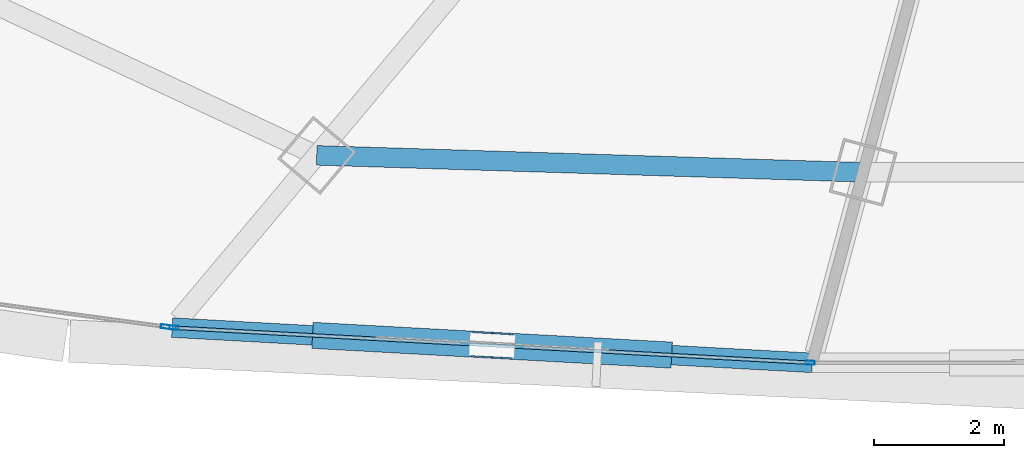
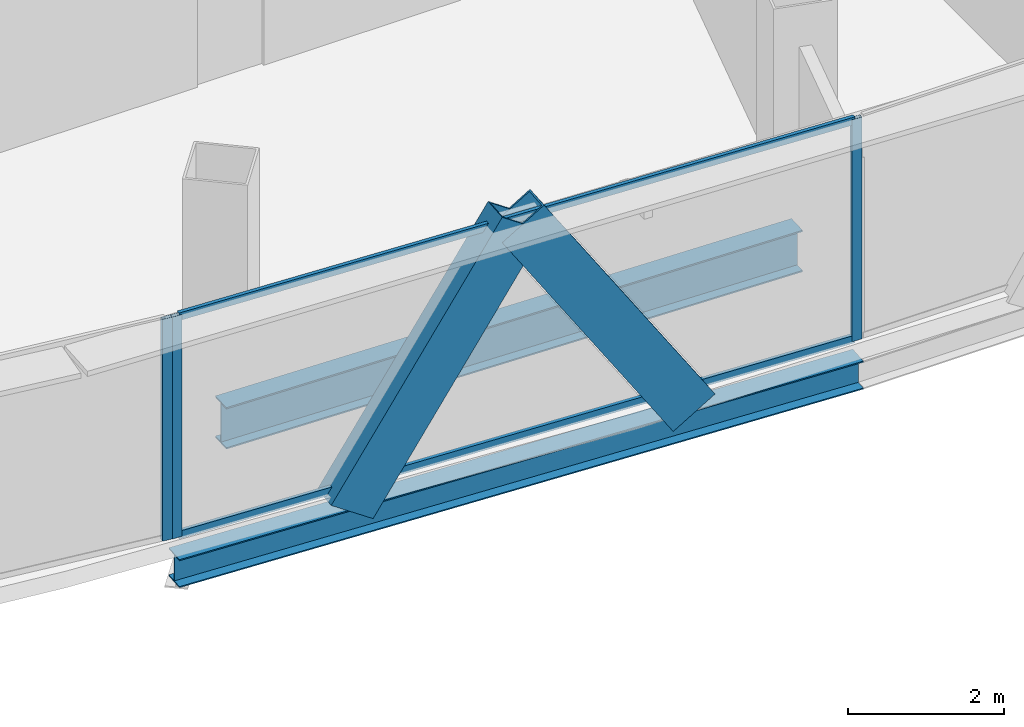
# One storey, part 6 of 34: 7 members, 2 beams, 2 elements without a shape of their own.
"""IFC4 building model written with IfcOpenShell, lengths in metres."""

from ifc_helpers import new_model, si_unit, direction, frame, origin, origin_2d, place, context, subcontext, project, spatial, hollow_rectangle, i_section, extrude, source, transform, mapped, material, layer, layer_set, material_profile, profile_set, type_object, element, aggregate, save


model = new_model("IFC4")

# Units and contexts
model_context = context("Model", 3, precision=1e-05, world=origin(), true_north=direction((0.0, 1.0)))
body_context = subcontext(model_context, "Body", "Model", "MODEL_VIEW")
ifc_project = project(units=[si_unit("LENGTHUNIT", "METRE"), si_unit("AREAUNIT", "SQUARE_METRE"), si_unit("VOLUMEUNIT", "CUBIC_METRE"), si_unit("PLANEANGLEUNIT", "RADIAN"), si_unit("MASSUNIT", "GRAM", prefix="KILO"), si_unit("THERMODYNAMICTEMPERATUREUNIT", "KELVIN"), si_unit("POWERUNIT", "WATT")], contexts=[model_context])

# Site, building, storey
site_placement = place(None, origin())
site = spatial("IfcSite", under=ifc_project, at=site_placement, CompositionType="ELEMENT")
building_placement = place(site_placement, origin())
building = spatial("IfcBuilding", under=site, at=building_placement, Name="Yunzhuo Pagoda Commons", CompositionType="ELEMENT")
storey_placement = place(building_placement, frame((0.0, 0.0, 229.610107421875)))
storey = spatial("IfcBuildingStorey", under=building, at=storey_placement, Name="L57", CompositionType="ELEMENT", Elevation=229.610107421875)

# Beams
ifc_material_1 = material(Name="Structural steel Q355B", Category="steel")
ifc_material_profile_1 = material_profile(ifc_material_1, i_section(OverallWidth=0.300048828125, OverallDepth=0.43994140625, WebThickness=0.010986328125, FlangeThickness=0.01806640625, at=origin_2d()), Name="Structural steel Q355B")
ifc_profile_set_1 = profile_set([ifc_material_profile_1], Name="Structural steel Q355B")
beam_type_1 = type_object("IfcBeamType", Name="B-SP2 Beam HM 440x300x11x18", PredefinedType="BEAM", material=ifc_profile_set_1)
shared_shape_1 = source(origin(), body_context, "Body", "SweptSolid", [
    extrude(i_section(OverallWidth=0.300048828125, OverallDepth=0.43994140625, WebThickness=0.010986328125, FlangeThickness=0.01806640625, at=origin_2d()), origin(), (0.0, 0.0, 1.0), 9.823486328125),
])
beam_1_placement = place(storey_placement, frame((33.377197265625, 16.273681640625, -0.480224609375), z_axis=(0.998486395032, -0.054999263048, 0.0), x_axis=(0.054999263048, 0.998486395032, 0.0)))
element("IfcBeam", 1, at=beam_1_placement, inside=storey, type_object=beam_type_1, Name="L57 facade edge spandrel beam F1.1", PredefinedType="BEAM", context=body_context, shape_type="MappedRepresentation", body=[
    mapped(shared_shape_1, transform((0.0, 0.0, 0.0), scale=1.0)),
])
ifc_material_profile_2 = material_profile(ifc_material_1, i_section(OverallWidth=0.300048828125, OverallDepth=0.64990234375, WebThickness=0.012939453125, FlangeThickness=0.02197265625, at=origin_2d()), Name="Structural steel Q355B")
ifc_profile_set_2 = profile_set([ifc_material_profile_2], Name="Structural steel Q355B")
beam_type_2 = type_object("IfcBeamType", Name="B-RG2 Beam HN 650x300x13x22", PredefinedType="BEAM", material=ifc_profile_set_2)
shared_shape_2 = source(origin(), body_context, "Body", "SweptSolid", [
    extrude(i_section(OverallWidth=0.300048828125, OverallDepth=0.64990234375, WebThickness=0.012939453125, FlangeThickness=0.02197265625, at=origin_2d()), origin(), (0.0, 0.0, 1.0), 8.37939453125),
])
beam_2_placement = place(storey_placement, frame((35.593017578125, 18.913818359375, -0.585205078125), z_axis=(0.999519382133, -0.031000076447, 0.0), x_axis=(0.031000076447, 0.999519382133, 0.0)))
element("IfcBeam", 2, at=beam_2_placement, inside=storey, type_object=beam_type_2, Name="L57 column-ring beam 1", PredefinedType="BEAM", context=body_context, shape_type="MappedRepresentation", body=[
    mapped(shared_shape_2, transform((0.0, 0.0, 0.0), scale=1.0)),
])

# Members
ifc_material_profile_3 = material_profile(ifc_material_1, hollow_rectangle(XDim=0.39990234375, YDim=0.719970703125, WallThickness=0.02392578125, at=origin_2d()), Name="Structural steel Q355B")
ifc_profile_set_3 = profile_set([ifc_material_profile_3], Name="Structural steel Q355B")
member_type_1 = type_object("IfcMemberType", Name="M-DL2 Brace BOX 720x400x24", PredefinedType="BRACE", material=ifc_profile_set_3)
shared_shape_3 = source(origin(), body_context, "Body", "SweptSolid", [
    extrude(hollow_rectangle(XDim=0.39990234375, YDim=0.719970703125, WallThickness=0.02392578125, at=origin_2d()), origin(), (0.0, 0.0, 1.0), 4.4658203125),
])
for number, where, z_axis, x_axis, name in (
    (3, (35.829345703125, 16.138427734375, -0.260009765625), (0.549086128168, -0.030231444532, 0.835218823791), (0.054974485367, 0.998487759544, 0.0), "L57 facade diamond brace F1.1L"),
    (4, (40.733642578125, 15.868408203125, -0.260009765625), (-0.549086128168, 0.030231444532, 0.835218823791), (-0.054974485367, -0.998487759544, 0.0), "L57 facade diamond brace F1.1R"),
):
    element("IfcMember", number, at=place(storey_placement, frame(where, z_axis=z_axis, x_axis=x_axis)), inside=storey, type_object=member_type_1, Name=name, PredefinedType="BRACE", context=body_context, shape_type="MappedRepresentation", body=[
        mapped(shared_shape_3, transform((0.0, 0.0, 0.0), scale=1.0)),
    ])

# Curtain wall, members
ifc_material_2 = material(Name="Anodized aluminium 6063-T6", Category="aluminium")
ifc_layer = layer(ifc_material_2, 0.139892578125)
ifc_layer_set = layer_set([ifc_layer], Name="Anodized aluminium 6063-T6")
curtain_wall_type = type_object("IfcCurtainWallType", Name="CW-HI High-Zone Ribbon Curtain Wall", PredefinedType="NOTDEFINED", material=ifc_layer_set)
curtain_wall_1_placement = place(storey_placement, origin())
curtain_wall_1 = element("IfcCurtainWall", 5, at=curtain_wall_1_placement, inside=storey, type_object=curtain_wall_type, Name="L57 curtain wall CW-L57-F1B2", PredefinedType="NOTDEFINED")
ifc_material_profile_4 = material_profile(ifc_material_2, hollow_rectangle(XDim=0.06005859375, YDim=0.139892578125, WallThickness=0.00341796875, at=origin_2d()), Name="Anodized aluminium 6063-T6")
ifc_profile_set_4 = profile_set([ifc_material_profile_4], Name="Anodized aluminium 6063-T6")
member_type_2 = type_object("IfcMemberType", Name="CW-HI-M Mullion RHS 140x60x3.5", PredefinedType="MULLION", material=ifc_profile_set_4)
shared_shape_4 = source(origin(), body_context, "Body", "SweptSolid", [
    extrude(hollow_rectangle(XDim=0.06005859375, YDim=0.139892578125, WallThickness=0.00341796875, at=origin_2d()), origin(), (0.0, 0.0, 1.0), 3.469970703125),
])
member_1_placement = place(storey_placement, frame((33.4072265625, 16.27197265625, 0.0), z_axis=(0.0, 0.0, 1.0), x_axis=(0.054981193813, 0.998487390169, 0.0)))
member_1 = element("IfcMember", 6, at=member_1_placement, type_object=member_type_2, Name="CW mullion 1", PredefinedType="MULLION", context=body_context, shape_type="MappedRepresentation", body=[
    mapped(shared_shape_4, transform((0.0, 0.0, 0.0), scale=1.0)),
])
member_2_placement = place(storey_placement, frame((43.15576171875, 15.73486328125, 0.0), z_axis=(0.0, 0.0, 1.0), x_axis=(0.054981193813, 0.998487390169, 0.0)))
member_2 = element("IfcMember", 7, at=member_2_placement, type_object=member_type_2, Name="CW mullion 2", PredefinedType="MULLION", context=body_context, shape_type="MappedRepresentation", body=[
    mapped(shared_shape_4, transform((0.0, 0.0, 0.0), scale=1.0)),
])

# Curtain wall, member
curtain_wall_2_placement = place(storey_placement, origin())
curtain_wall_2 = element("IfcCurtainWall", 8, at=curtain_wall_2_placement, inside=storey, type_object=curtain_wall_type, Name="L57 curtain wall CW-L57-F1B1", PredefinedType="NOTDEFINED")
member_3_placement = place(storey_placement, frame((33.273193359375, 16.28759765625, 0.0), z_axis=(0.0, 0.0, 1.0), x_axis=(0.133929585963, 0.990990850616, 0.0)))
member_3 = element("IfcMember", 9, at=member_3_placement, type_object=member_type_2, Name="CW mullion 2", PredefinedType="MULLION", context=body_context, shape_type="MappedRepresentation", body=[
    mapped(shared_shape_4, transform((0.0, 0.0, 0.0), scale=1.0)),
])
aggregate(curtain_wall_2, [member_3])

# Member
ifc_material_profile_5 = material_profile(ifc_material_2, hollow_rectangle(XDim=0.054931640625, YDim=0.1201171875, WallThickness=0.00341796875, at=origin_2d()), Name="Anodized aluminium 6063-T6")
ifc_profile_set_5 = profile_set([ifc_material_profile_5], Name="Anodized aluminium 6063-T6")
member_type_3 = type_object("IfcMemberType", Name="CW-HI-T Transom RHS 120x55x3.5", PredefinedType="USERDEFINED", material=ifc_profile_set_5)
shared_shape_5 = source(origin(), body_context, "Body", "SweptSolid", [
    extrude(hollow_rectangle(XDim=0.054931640625, YDim=0.1201171875, WallThickness=0.00341796875, at=origin_2d()), origin(), (0.0, 0.0, 1.0), 9.703369140625),
])
member_4_placement = place(storey_placement, frame((33.437255859375, 16.270263671875, 0.02734375), z_axis=(0.998486332061, -0.055000406246, 0.0), x_axis=(0.055000406246, 0.998486332061, 0.0)))
member_4 = element("IfcMember", 10, at=member_4_placement, type_object=member_type_3, Name="CW transom 1.1", ObjectType="TRANSOM", PredefinedType="USERDEFINED", context=body_context, shape_type="MappedRepresentation", body=[
    mapped(shared_shape_5, transform((0.0, 0.0, 0.0), scale=1.0)),
])

member_5_placement = place(storey_placement, frame((33.437255859375, 16.270263671875, 3.4423828125), z_axis=(0.998486332061, -0.055000406246, 0.0), x_axis=(0.055000406246, 0.998486332061, 0.0)))
member_5 = element("IfcMember", 11, at=member_5_placement, type_object=member_type_3, Name="CW transom 1.2", ObjectType="TRANSOM", PredefinedType="USERDEFINED", context=body_context, shape_type="MappedRepresentation", body=[
    mapped(shared_shape_5, transform((0.0, 0.0, 0.0), scale=1.0)),
])

aggregate(curtain_wall_1, [member_1, member_2, member_4, member_5])

save(model, "model.ifc")
